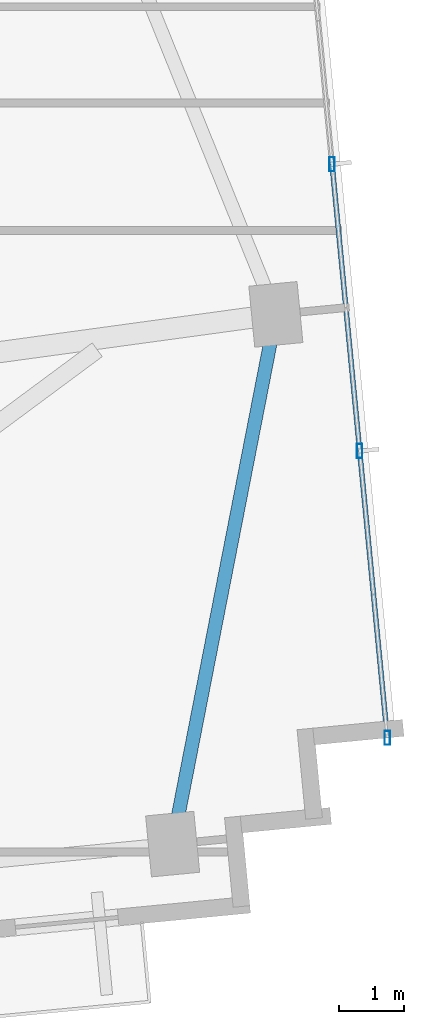
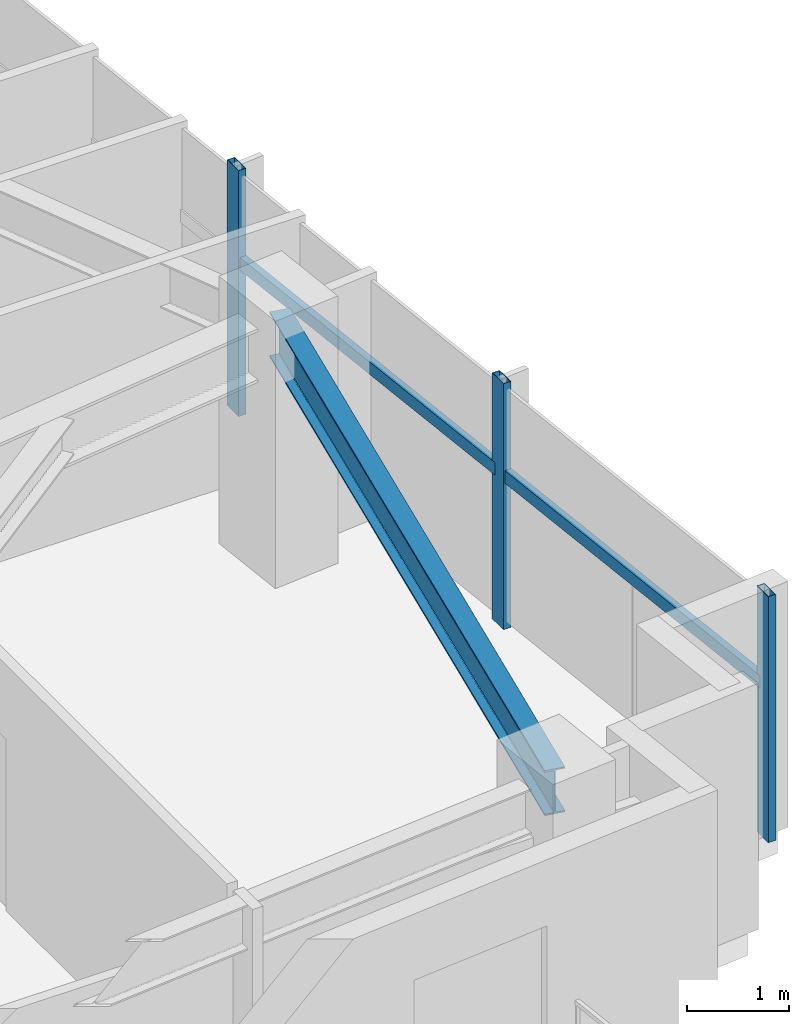
# One storey, part 10 of 18: 5 members, 1 beam, 1 element without a shape of its own.
"""IFC4 building model written with IfcOpenShell, lengths in metres."""

from ifc_helpers import new_model, si_unit, direction, frame, origin, origin_2d, place, context, subcontext, project, spatial, hollow_rectangle, i_section, extrude, source, transform, mapped, material, material_profile, profile_set, type_object, type_shapes, element, aggregate, save


model = new_model("IFC4")

# Units and contexts
model_context = context("Model", 3, precision=1e-05, world=origin(), true_north=direction((0.0, 1.0)))
body_context = subcontext(model_context, "Body", "Model", "MODEL_VIEW")
ifc_project = project(units=[si_unit("LENGTHUNIT", "METRE"), si_unit("AREAUNIT", "SQUARE_METRE"), si_unit("VOLUMEUNIT", "CUBIC_METRE"), si_unit("PLANEANGLEUNIT", "RADIAN"), si_unit("MASSUNIT", "GRAM", prefix="KILO")], contexts=[model_context])

# Site, building, storey
site_placement = place(None, origin())
site = spatial("IfcSite", under=ifc_project, at=site_placement, CompositionType="ELEMENT")
building_placement = place(site_placement, origin())
building = spatial("IfcBuilding", under=site, at=building_placement, Name="Astriad Promenade Condominiums", CompositionType="ELEMENT")
storey_placement = place(building_placement, frame((0.0, 0.0, 195.39990234375)))
storey = spatial("IfcBuildingStorey", under=building, at=storey_placement, Name="L56", CompositionType="ELEMENT", Elevation=195.39990234375)

# Beam
ifc_material_1 = material(Name="Steel ASTM A992 Grade 50", Category="steel")
ifc_material_profile_1 = material_profile(ifc_material_1, i_section(OverallWidth=0.210693359375, OverallDepth=0.53955078125, WebThickness=0.01171875, FlangeThickness=0.018798828125, FilletRadius=0.0166015625, at=origin_2d()), Name="W21X73")
ifc_profile_set_1 = profile_set([ifc_material_profile_1], Name="Steel ASTM A992 Grade 50")
beam_type = type_object("IfcBeamType", Name="STEEL SPANDREL BEAM W21X73", PredefinedType="SPANDREL", material=ifc_profile_set_1)
shared_shape_1 = source(origin(), body_context, "Body", "SweptSolid", [
    extrude(i_section(OverallWidth=0.210693359375, OverallDepth=0.53955078125, WebThickness=0.01171875, FlangeThickness=0.018798828125, FilletRadius=0.0166015625, at=origin_2d()), origin(), (0.0, 0.0, 1.0), 8.28564453125),
])
type_shapes(beam_type, [shared_shape_1])
beam_placement = place(storey_placement, frame((61.775634765625, 11.6552734375, 2.67041015625), z_axis=(0.191291582099, 0.981533254973, 0.0), x_axis=(-0.981533254973, 0.191291582099, 0.0)))
element("IfcBeam", 1, at=beam_placement, inside=storey, type_object=beam_type, Name="Perimeter Spandrel Beam SP-E1-L56", PredefinedType="SPANDREL", context=body_context, shape_type="MappedRepresentation", body=[
    mapped(shared_shape_1, transform((0.0, 0.0, 0.0), scale=1.0)),
])

# Curtain wall, members
ifc_material_2 = material(Name="Anodised aluminium Black Dark Glass Unitised", Category="aluminium")
curtain_wall_type = type_object("IfcCurtainWallType", Name="CW-B34-DARK", PredefinedType="USERDEFINED", material=ifc_material_2)
curtain_wall_placement = place(storey_placement, origin())
curtain_wall = element("IfcCurtainWall", 2, at=curtain_wall_placement, inside=storey, type_object=curtain_wall_type, Name="CW-L56-E", ObjectType="UNITISED_CURTAIN_WALL", PredefinedType="USERDEFINED")
ifc_material_3 = material(Name="Anodised aluminium 6063-T6 Black", Category="aluminium")
ifc_material_profile_2 = material_profile(ifc_material_3, hollow_rectangle(XDim=0.0849609375, YDim=0.219970703125, WallThickness=0.0048828125, at=origin_2d()), Name="ALU-MUL-85X220")
ifc_profile_set_2 = profile_set([ifc_material_profile_2], Name="Anodised aluminium 6063-T6 Black")
member_type_1 = type_object("IfcMemberType", Name="MUL-ALU-MUL-85X220", PredefinedType="MULLION", material=ifc_profile_set_2)
shared_shape_2 = source(origin(), body_context, "Body", "SweptSolid", [
    extrude(hollow_rectangle(XDim=0.0849609375, YDim=0.219970703125, WallThickness=0.0048828125, at=origin_2d()), origin(), (0.0, 0.0, 1.0), 2.940185546875),
])
type_shapes(member_type_1, [shared_shape_2])
member_1_placement = place(storey_placement, frame((64.239013671875, 22.154541015625, 0.0), z_axis=(0.0, 0.0, 1.0), x_axis=(1.0, 0.0, 0.0)))
member_1 = element("IfcMember", 3, at=member_1_placement, type_object=member_type_1, Name="CW-L56-E-MUL-01", PredefinedType="MULLION", context=body_context, shape_type="MappedRepresentation", body=[
    mapped(shared_shape_2, transform((0.0, 0.0, 0.0), scale=1.0)),
])
member_2_placement = place(storey_placement, frame((64.667236328125, 17.70849609375, 0.0), z_axis=(0.0, 0.0, 1.0), x_axis=(1.0, 0.0, 0.0)))
member_2 = element("IfcMember", 4, at=member_2_placement, type_object=member_type_1, Name="CW-L56-E-MUL-02", PredefinedType="MULLION", context=body_context, shape_type="MappedRepresentation", body=[
    mapped(shared_shape_2, transform((0.0, 0.0, 0.0), scale=1.0)),
])
member_3_placement = place(storey_placement, frame((65.095458984375, 13.262451171875, 0.0), z_axis=(0.0, 0.0, 1.0), x_axis=(1.0, 0.0, 0.0)))
member_3 = element("IfcMember", 5, at=member_3_placement, type_object=member_type_1, Name="CW-L56-E-MUL-03", PredefinedType="MULLION", context=body_context, shape_type="MappedRepresentation", body=[
    mapped(shared_shape_2, transform((0.0, 0.0, 0.0), scale=1.0)),
])
ifc_material_profile_3 = material_profile(ifc_material_3, hollow_rectangle(XDim=0.074951171875, YDim=0.14990234375, WallThickness=0.004150390625, at=origin_2d()), Name="ALU-TRN-75X150")
ifc_profile_set_3 = profile_set([ifc_material_profile_3], Name="Anodised aluminium 6063-T6 Black")
member_type_2 = type_object("IfcMemberType", Name="TRN-ALU-TRN-75X150", PredefinedType="USERDEFINED", material=ifc_profile_set_3)
shared_shape_3 = source(origin(), body_context, "Body", "SweptSolid", [
    extrude(hollow_rectangle(XDim=0.074951171875, YDim=0.14990234375, WallThickness=0.004150390625, at=origin_2d()), origin(), (0.0, 0.0, 1.0), 4.466552734375),
])
type_shapes(member_type_2, [shared_shape_3])
member_4_placement = place(storey_placement, frame((64.239013671875, 22.154541015625, 1.822998046875), z_axis=(0.095871755514, -0.995393694221, 0.0), x_axis=(0.995393694221, 0.095871755514, 0.0)))
member_4 = element("IfcMember", 6, at=member_4_placement, type_object=member_type_2, Name="CW-L56-E-TRN-01-0", ObjectType="TRANSOM", PredefinedType="USERDEFINED", context=body_context, shape_type="MappedRepresentation", body=[
    mapped(shared_shape_3, transform((0.0, 0.0, 0.0), scale=1.0)),
])
member_5_placement = place(storey_placement, frame((64.667236328125, 17.70849609375, 1.822998046875), z_axis=(0.095871755514, -0.995393694221, 0.0), x_axis=(0.995393694221, 0.095871755514, 0.0)))
member_5 = element("IfcMember", 7, at=member_5_placement, type_object=member_type_2, Name="CW-L56-E-TRN-02-0", ObjectType="TRANSOM", PredefinedType="USERDEFINED", context=body_context, shape_type="MappedRepresentation", body=[
    mapped(shared_shape_3, transform((0.0, 0.0, 0.0), scale=1.0)),
])
aggregate(curtain_wall, [member_1, member_2, member_3, member_4, member_5])

save(model, "model.ifc")
